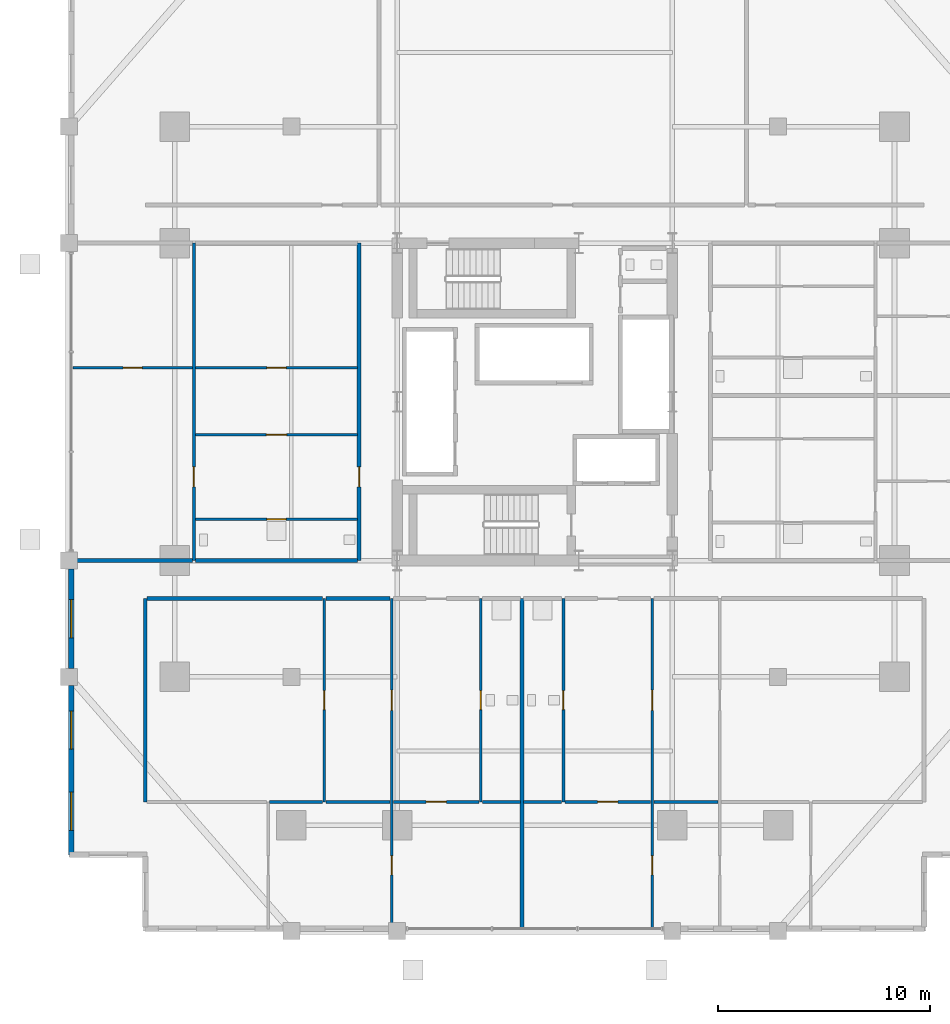
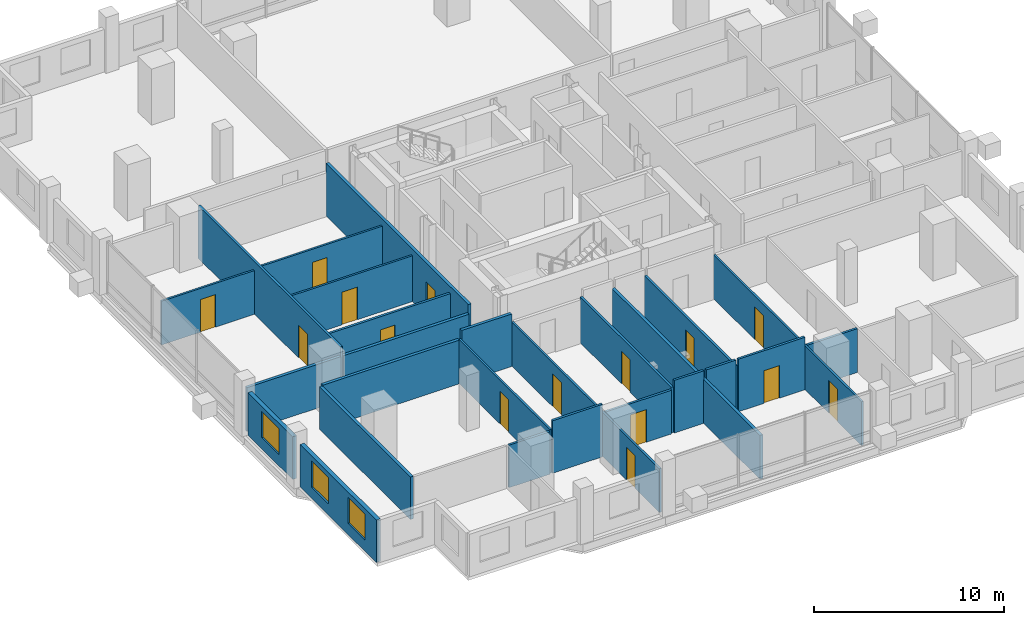
# One storey, part 17 of 23: 26 walls, 15 doors, 3 windows, 18 openings.
"""IFC4 building model written with IfcOpenShell, lengths in metres."""

from ifc_helpers import new_model, si_unit, direction, frame, frame_2d, origin, place, context, subcontext, project, spatial, rectangle, extrude, material, layer, layer_set, type_object, element, fill, save


model = new_model("IFC4")

# Units and contexts
model_context = context("Model", 3, precision=1e-05, world=origin(), true_north=direction((0.0, 1.0)))
body_context = subcontext(model_context, "Body", "Model", "MODEL_VIEW")
ifc_project = project(units=[si_unit("LENGTHUNIT", "METRE"), si_unit("AREAUNIT", "SQUARE_METRE"), si_unit("VOLUMEUNIT", "CUBIC_METRE"), si_unit("PLANEANGLEUNIT", "RADIAN"), si_unit("MASSUNIT", "GRAM", prefix="KILO")], contexts=[model_context])

# Site, building, storey
site_placement = place(None, origin())
site = spatial("IfcSite", under=ifc_project, at=site_placement, CompositionType="ELEMENT")
building_placement = place(site_placement, origin())
building = spatial("IfcBuilding", under=site, at=building_placement, Name="Barlavira Tower and Art Museum", CompositionType="ELEMENT")
storey_placement = place(building_placement, frame((0.0, 0.0, 75.60009765625)))
storey = spatial("IfcBuildingStorey", under=building, at=storey_placement, Name="L18", CompositionType="ELEMENT", Elevation=75.60009765625)

# Wall, opening, door
ifc_material_1 = material(Name="Gypsum acoustic stud partition", Category="gypsum")
ifc_layer_1 = layer(ifc_material_1, 0.1201171875, Name="Gypsum acoustic stud partition")
ifc_layer_set_1 = layer_set([ifc_layer_1], Name="Gypsum acoustic stud partition")
wall_type_1 = type_object("IfcWallType", Name="Apartment Internal Acoustic Partition 120", PredefinedType="PARTITIONING", material=ifc_layer_set_1)
wall_1_placement = place(storey_placement, frame((-9.949951171875, -18.89990234375, 0.0), z_axis=(0.0, 0.0, 1.0), x_axis=(0.0, 1.0, 0.0)))
wall_1 = element("IfcWall", 1, at=wall_1_placement, inside=storey, type_object=wall_type_1, Name="L18 Partition Wall 4", PredefinedType="PARTITIONING", context=body_context, shape_type="SweptSolid", body=[
    extrude(rectangle(XDim=9.599853515625, YDim=0.1201171875, at=frame_2d((4.7998046875, 0.0))), origin(), (0.0, 0.0, 1.0), 2.81591796875),
])
opening_1_placement = place(wall_1_placement, frame((4.35009765625, 0.0, 0.0)))
opening_1 = element("IfcOpeningElement", 2, at=opening_1_placement, cuts=wall_1, Name="Opening D-01", PredefinedType="OPENING", context=body_context, shape_type="SweptSolid", body=[
    extrude(rectangle(XDim=0.89990234375, YDim=2.10009765625, at=frame_2d((0.449951171875, 1.050048828125))), frame((0.0, 0.070068359375, 0.0), z_axis=(0.0, -1.0, 0.0), x_axis=(1.0, 0.0, 0.0)), (0.0, 0.0, 1.0), 0.14013671875),
])
ifc_material_2 = material(Name="Engineered coastal hardwood", Category="wood")
door_type_1 = type_object("IfcDoorType", Name="Internal Bedroom Timber Flush Door 900x2100", OperationType="NOTDEFINED", PredefinedType="DOOR", material=ifc_material_2)
door_1_placement = place(opening_1_placement, origin())
door_1 = element("IfcDoor", 3, at=door_1_placement, inside=storey, type_object=door_type_1, Name="Apartment S1 Walk-In Dressing Room Door", OperationType="SINGLE_SWING_LEFT", OverallHeight=2.10009765625, OverallWidth=0.89990234375, PredefinedType="DOOR", context=body_context, shape_type="SweptSolid", body=[
    extrude(rectangle(XDim=0.89990234375, YDim=2.10009765625, at=frame_2d((0.449951171875, 1.050048828125))), frame((0.0, 0.02490234375, 0.0), z_axis=(0.0, -1.0, 0.0), x_axis=(1.0, 0.0, 0.0)), (0.0, 0.0, 1.0), 0.050048828125),
])
fill(opening_1, door_1)

# Wall, openings, doors
wall_2_placement = place(storey_placement, frame((-6.75, -24.89990234375, 0.0), z_axis=(0.0, 0.0, 1.0), x_axis=(0.0, 1.0, 0.0)))
wall_2 = element("IfcWall", 4, at=wall_2_placement, inside=storey, type_object=wall_type_1, Name="L18 Partition Wall 7", PredefinedType="PARTITIONING", context=body_context, shape_type="SweptSolid", body=[
    extrude(rectangle(XDim=15.599853515625, YDim=0.1201171875, at=frame_2d((7.7998046875, 0.0))), origin(), (0.0, 0.0, 1.0), 2.81591796875),
])
opening_2_placement = place(wall_2_placement, frame((10.324951171875, 0.0, 0.0)))
opening_2 = element("IfcOpeningElement", 5, at=opening_2_placement, cuts=wall_2, Name="Opening D-02", PredefinedType="OPENING", context=body_context, shape_type="SweptSolid", body=[
    extrude(rectangle(XDim=0.949951171875, YDim=2.10009765625, at=frame_2d((0.47509765625, 1.050048828125))), frame((0.0, 0.070068359375, 0.0), z_axis=(0.0, -1.0, 0.0), x_axis=(1.0, 0.0, 0.0)), (0.0, 0.0, 1.0), 0.14013671875),
])
opening_3_placement = place(wall_2_placement, frame((2.550048828125, 0.0, 0.0)))
opening_3 = element("IfcOpeningElement", 6, at=opening_3_placement, cuts=wall_2, Name="Opening D-01", PredefinedType="OPENING", context=body_context, shape_type="SweptSolid", body=[
    extrude(rectangle(XDim=0.89990234375, YDim=2.10009765625, at=frame_2d((0.449951171875, 1.050048828125))), frame((0.0, 0.070068359375, 0.0), z_axis=(0.0, -1.0, 0.0), x_axis=(1.0, 0.0, 0.0)), (0.0, 0.0, 1.0), 0.14013671875),
])
door_2_placement = place(opening_3_placement, origin())
door_2 = element("IfcDoor", 7, at=door_2_placement, inside=storey, type_object=door_type_1, Name="Apartment S1 Bedroom 1 Door", OperationType="SINGLE_SWING_LEFT", OverallHeight=2.10009765625, OverallWidth=0.89990234375, PredefinedType="DOOR", context=body_context, shape_type="SweptSolid", body=[
    extrude(rectangle(XDim=0.89990234375, YDim=2.10009765625, at=frame_2d((0.449951171875, 1.050048828125))), frame((0.0, 0.02490234375, 0.0), z_axis=(0.0, -1.0, 0.0), x_axis=(1.0, 0.0, 0.0)), (0.0, 0.0, 1.0), 0.050048828125),
])
fill(opening_3, door_2)
door_type_2 = type_object("IfcDoorType", Name="Living and Salon Glazed-Leaf Door 950x2100", OperationType="NOTDEFINED", PredefinedType="DOOR", material=ifc_material_2)
door_3_placement = place(opening_2_placement, origin())
door_3 = element("IfcDoor", 8, at=door_3_placement, inside=storey, type_object=door_type_2, Name="Apartment S1 Kitchen Door", OperationType="SINGLE_SWING_RIGHT", OverallHeight=2.10009765625, OverallWidth=0.949951171875, PredefinedType="DOOR", context=body_context, shape_type="SweptSolid", body=[
    extrude(rectangle(XDim=0.949951171875, YDim=2.10009765625, at=frame_2d((0.47509765625, 1.050048828125))), frame((0.0, 0.02490234375, 0.0), z_axis=(0.0, -1.0, 0.0), x_axis=(1.0, 0.0, 0.0)), (0.0, 0.0, 1.0), 0.050048828125),
])
fill(opening_2, door_3)

wall_3_placement = place(storey_placement, frame((5.550048828125, -24.89990234375, 0.0), z_axis=(0.0, 0.0, 1.0), x_axis=(0.0, 1.0, 0.0)))
wall_3 = element("IfcWall", 9, at=wall_3_placement, inside=storey, type_object=wall_type_1, Name="L18 Partition Wall 12", PredefinedType="PARTITIONING", context=body_context, shape_type="SweptSolid", body=[
    extrude(rectangle(XDim=15.599853515625, YDim=0.1201171875, at=frame_2d((7.7998046875, 0.0))), origin(), (0.0, 0.0, 1.0), 2.81591796875),
])
opening_4_placement = place(wall_3_placement, frame((10.324951171875, 0.0, 0.0)))
opening_4 = element("IfcOpeningElement", 10, at=opening_4_placement, cuts=wall_3, Name="Opening D-02", PredefinedType="OPENING", context=body_context, shape_type="SweptSolid", body=[
    extrude(rectangle(XDim=0.949951171875, YDim=2.10009765625, at=frame_2d((0.47509765625, 1.050048828125))), frame((0.0, 0.070068359375, 0.0), z_axis=(0.0, -1.0, 0.0), x_axis=(1.0, 0.0, 0.0)), (0.0, 0.0, 1.0), 0.14013671875),
])
opening_5_placement = place(wall_3_placement, frame((2.550048828125, 0.0, 0.0)))
opening_5 = element("IfcOpeningElement", 11, at=opening_5_placement, cuts=wall_3, Name="Opening D-01", PredefinedType="OPENING", context=body_context, shape_type="SweptSolid", body=[
    extrude(rectangle(XDim=0.89990234375, YDim=2.10009765625, at=frame_2d((0.449951171875, 1.050048828125))), frame((0.0, 0.070068359375, 0.0), z_axis=(0.0, -1.0, 0.0), x_axis=(1.0, 0.0, 0.0)), (0.0, 0.0, 1.0), 0.14013671875),
])
door_4_placement = place(opening_5_placement, origin())
door_4 = element("IfcDoor", 12, at=door_4_placement, inside=storey, type_object=door_type_1, Name="Apartment S2 Bedroom 1 Door", OperationType="SINGLE_SWING_RIGHT", OverallHeight=2.10009765625, OverallWidth=0.89990234375, PredefinedType="DOOR", context=body_context, shape_type="SweptSolid", body=[
    extrude(rectangle(XDim=0.89990234375, YDim=2.10009765625, at=frame_2d((0.449951171875, 1.050048828125))), frame((0.0, 0.02490234375, 0.0), z_axis=(0.0, -1.0, 0.0), x_axis=(1.0, 0.0, 0.0)), (0.0, 0.0, 1.0), 0.050048828125),
])
fill(opening_5, door_4)
door_5_placement = place(opening_4_placement, origin())
door_5 = element("IfcDoor", 13, at=door_5_placement, inside=storey, type_object=door_type_2, Name="Apartment S2 Kitchen Door", OperationType="SINGLE_SWING_LEFT", OverallHeight=2.10009765625, OverallWidth=0.949951171875, PredefinedType="DOOR", context=body_context, shape_type="SweptSolid", body=[
    extrude(rectangle(XDim=0.949951171875, YDim=2.10009765625, at=frame_2d((0.47509765625, 1.050048828125))), frame((0.0, 0.02490234375, 0.0), z_axis=(0.0, -1.0, 0.0), x_axis=(1.0, 0.0, 0.0)), (0.0, 0.0, 1.0), 0.050048828125),
])
fill(opening_4, door_5)

# Wall, opening, door
wall_4_placement = place(storey_placement, frame((-16.02001953125, -1.550048828125, 0.0), z_axis=(0.0, 0.0, 1.0), x_axis=(1.0, 0.0, 0.0)))
wall_4 = element("IfcWall", 14, at=wall_4_placement, inside=storey, type_object=wall_type_1, Name="L18 Partition Wall 45", PredefinedType="PARTITIONING", context=body_context, shape_type="SweptSolid", body=[
    extrude(rectangle(XDim=7.64013671875, YDim=0.1201171875, at=frame_2d((3.820068359375, 0.0))), origin(), (0.0, 0.0, 1.0), 2.947998046875),
])
opening_6_placement = place(wall_4_placement, frame((3.344970703125, 0.0, 0.0)))
opening_6 = element("IfcOpeningElement", 15, at=opening_6_placement, cuts=wall_4, Name="Opening D-02", PredefinedType="OPENING", context=body_context, shape_type="SweptSolid", body=[
    extrude(rectangle(XDim=0.949951171875, YDim=2.10009765625, at=frame_2d((0.47509765625, 1.050048828125))), frame((0.0, 0.070068359375, 0.0), z_axis=(0.0, -1.0, 0.0), x_axis=(1.0, 0.0, 0.0)), (0.0, 0.0, 1.0), 0.14013671875),
])
door_6_placement = place(opening_6_placement, origin())
door_6 = element("IfcDoor", 16, at=door_6_placement, inside=storey, type_object=door_type_2, Name="Apartment W1 Kitchen Door", OperationType="SINGLE_SWING_RIGHT", OverallHeight=2.10009765625, OverallWidth=0.949951171875, PredefinedType="DOOR", context=body_context, shape_type="SweptSolid", body=[
    extrude(rectangle(XDim=0.949951171875, YDim=2.10009765625, at=frame_2d((0.47509765625, 1.050048828125))), frame((0.0, 0.02490234375, 0.0), z_axis=(0.0, -1.0, 0.0), x_axis=(1.0, 0.0, 0.0)), (0.0, 0.0, 1.0), 0.050048828125),
])
fill(opening_6, door_6)

wall_5_placement = place(storey_placement, frame((-21.820068359375, 1.60009765625, 0.0), z_axis=(0.0, 0.0, 1.0), x_axis=(1.0, 0.0, 0.0)))
wall_5 = element("IfcWall", 17, at=wall_5_placement, inside=storey, type_object=wall_type_1, Name="L18 Partition Wall 48", PredefinedType="PARTITIONING", context=body_context, shape_type="SweptSolid", body=[
    extrude(rectangle(XDim=5.64013671875, YDim=0.1201171875, at=frame_2d((2.820068359375, 0.0))), origin(), (0.0, 0.0, 1.0), 2.81591796875),
])
opening_7_placement = place(wall_5_placement, frame((2.3701171875, 0.0, 0.0)))
opening_7 = element("IfcOpeningElement", 18, at=opening_7_placement, cuts=wall_5, Name="Opening D-01", PredefinedType="OPENING", context=body_context, shape_type="SweptSolid", body=[
    extrude(rectangle(XDim=0.89990234375, YDim=2.10009765625, at=frame_2d((0.449951171875, 1.050048828125))), frame((0.0, 0.070068359375, 0.0), z_axis=(0.0, -1.0, 0.0), x_axis=(1.0, 0.0, 0.0)), (0.0, 0.0, 1.0), 0.14013671875),
])
door_7_placement = place(opening_7_placement, origin())
door_7 = element("IfcDoor", 19, at=door_7_placement, inside=storey, type_object=door_type_1, Name="Apartment W1 Bedroom 1 Door", OperationType="SINGLE_SWING_LEFT", OverallHeight=2.10009765625, OverallWidth=0.89990234375, PredefinedType="DOOR", context=body_context, shape_type="SweptSolid", body=[
    extrude(rectangle(XDim=0.89990234375, YDim=2.10009765625, at=frame_2d((0.449951171875, 1.050048828125))), frame((0.0, 0.02490234375, 0.0), z_axis=(0.0, -1.0, 0.0), x_axis=(1.0, 0.0, 0.0)), (0.0, 0.0, 1.0), 0.050048828125),
])
fill(opening_7, door_7)

wall_6_placement = place(storey_placement, frame((-16.02001953125, 1.60009765625, 0.0), z_axis=(0.0, 0.0, 1.0), x_axis=(1.0, 0.0, 0.0)))
wall_6 = element("IfcWall", 20, at=wall_6_placement, inside=storey, type_object=wall_type_1, Name="L18 Partition Wall 49", PredefinedType="PARTITIONING", context=body_context, shape_type="SweptSolid", body=[
    extrude(rectangle(XDim=7.64013671875, YDim=0.1201171875, at=frame_2d((3.820068359375, 0.0))), origin(), (0.0, 0.0, 1.0), 2.947998046875),
])
opening_8_placement = place(wall_6_placement, frame((3.3701171875, 0.0, 0.0)))
opening_8 = element("IfcOpeningElement", 21, at=opening_8_placement, cuts=wall_6, Name="Opening D-01", PredefinedType="OPENING", context=body_context, shape_type="SweptSolid", body=[
    extrude(rectangle(XDim=0.89990234375, YDim=2.10009765625, at=frame_2d((0.449951171875, 1.050048828125))), frame((0.0, 0.070068359375, 0.0), z_axis=(0.0, -1.0, 0.0), x_axis=(1.0, 0.0, 0.0)), (0.0, 0.0, 1.0), 0.14013671875),
])
door_8_placement = place(opening_8_placement, origin())
door_8 = element("IfcDoor", 22, at=door_8_placement, inside=storey, type_object=door_type_1, Name="Apartment W1 Walk-In Dressing Room Door", OperationType="SINGLE_SWING_LEFT", OverallHeight=2.10009765625, OverallWidth=0.89990234375, PredefinedType="DOOR", context=body_context, shape_type="SweptSolid", body=[
    extrude(rectangle(XDim=0.89990234375, YDim=2.10009765625, at=frame_2d((0.449951171875, 1.050048828125))), frame((0.0, 0.02490234375, 0.0), z_axis=(0.0, -1.0, 0.0), x_axis=(1.0, 0.0, 0.0)), (0.0, 0.0, 1.0), 0.050048828125),
])
fill(opening_8, door_8)

# Wall
ifc_layer_2 = layer(ifc_material_1, 0.179931640625, Name="Gypsum acoustic stud partition")
ifc_layer_set_2 = layer_set([ifc_layer_2], Name="Gypsum acoustic stud partition")
wall_type_2 = type_object("IfcWallType", Name="Inter-Tenancy Party Partition Wall 180", PredefinedType="PARTITIONING", material=ifc_layer_set_2)
wall_7_placement = place(storey_placement, frame((-18.39990234375, -18.89990234375, 0.0), z_axis=(0.0, 0.0, 1.0), x_axis=(0.0, 1.0, 0.0)))
element("IfcWall", 23, at=wall_7_placement, inside=storey, type_object=wall_type_2, Name="L18 Partition Wall 1", PredefinedType="PARTITIONING", context=body_context, shape_type="SweptSolid", body=[
    extrude(rectangle(XDim=9.599853515625, YDim=0.179931640625, at=frame_2d((4.7998046875, 0.0))), origin(), (0.0, 0.0, 1.0), 2.73583984375),
])

# Wall, opening, door
wall_8_placement = place(storey_placement, frame((-8.300048828125, -7.5, 0.0), z_axis=(0.0, 0.0, 1.0), x_axis=(0.0, 1.0, 0.0)))
wall_8 = element("IfcWall", 24, at=wall_8_placement, inside=storey, type_object=wall_type_2, Name="L18 Partition Wall 5", PredefinedType="PARTITIONING", context=body_context, shape_type="SweptSolid", body=[
    extrude(rectangle(XDim=15.0, YDim=0.179931640625, at=frame_2d((7.5, 0.0))), origin(), (0.0, 0.0, 1.0), 3.3798828125),
])
opening_9_placement = place(wall_8_placement, frame((3.47509765625, 0.0, 0.0)))
opening_9 = element("IfcOpeningElement", 25, at=opening_9_placement, cuts=wall_8, Name="Opening FD-60", PredefinedType="OPENING", context=body_context, shape_type="SweptSolid", body=[
    extrude(rectangle(XDim=0.949951171875, YDim=2.14990234375, at=frame_2d((0.47509765625, 1.074951171875))), frame((0.0, 0.10009765625, 0.0), z_axis=(0.0, -1.0, 0.0), x_axis=(1.0, 0.0, 0.0)), (0.0, 0.0, 1.0), 0.199951171875),
])
ifc_material_3 = material(Name="Brushed stainless steel", Category="steel")
door_type_3 = type_object("IfcDoorType", Name="Apartment Entrance and Riser Fire Door 950x2150 FD60S", OperationType="NOTDEFINED", PredefinedType="DOOR", material=ifc_material_3)
door_9_placement = place(opening_9_placement, origin())
door_9 = element("IfcDoor", 26, at=door_9_placement, inside=storey, type_object=door_type_3, Name="Apartment Entrance Hall W1 Door", OperationType="SINGLE_SWING_LEFT", OverallHeight=2.14990234375, OverallWidth=0.949951171875, PredefinedType="DOOR", context=body_context, shape_type="SweptSolid", body=[
    extrude(rectangle(XDim=0.949951171875, YDim=2.14990234375, at=frame_2d((0.47509765625, 1.074951171875))), frame((0.0, 0.02490234375, 0.0), z_axis=(0.0, -1.0, 0.0), x_axis=(1.0, 0.0, 0.0)), (0.0, 0.0, 1.0), 0.050048828125),
])
fill(opening_9, door_9)

# Walls
wall_9_placement = place(storey_placement, frame((-0.60009765625, -24.89990234375, 0.0), z_axis=(0.0, 0.0, 1.0), x_axis=(0.0, 1.0, 0.0)))
element("IfcWall", 27, at=wall_9_placement, inside=storey, type_object=wall_type_2, Name="L18 Partition Wall 9", PredefinedType="PARTITIONING", context=body_context, shape_type="SweptSolid", body=[
    extrude(rectangle(XDim=15.599853515625, YDim=0.179931640625, at=frame_2d((7.7998046875, 0.0))), origin(), (0.0, 0.0, 1.0), 2.81591796875),
])
wall_10_placement = place(storey_placement, frame((-18.320068359375, -9.300048828125, 0.0), z_axis=(0.0, 0.0, 1.0), x_axis=(1.0, 0.0, 0.0)))
element("IfcWall", 28, at=wall_10_placement, inside=storey, type_object=wall_type_2, Name="L18 Partition Wall 29", PredefinedType="PARTITIONING", context=body_context, shape_type="SweptSolid", body=[
    extrude(rectangle(XDim=8.2900390625, YDim=0.179931640625, at=frame_2d((4.14501953125, 0.0))), origin(), (0.0, 0.0, 1.0), 2.81591796875),
])
wall_11_placement = place(storey_placement, frame((-9.8701171875, -9.300048828125, 0.0), z_axis=(0.0, 0.0, 1.0), x_axis=(1.0, 0.0, 0.0)))
element("IfcWall", 29, at=wall_11_placement, inside=storey, type_object=wall_type_2, Name="L18 Partition Wall 30", PredefinedType="PARTITIONING", context=body_context, shape_type="SweptSolid", body=[
    extrude(rectangle(XDim=3.0400390625, YDim=0.179931640625, at=frame_2d((1.52001953125, 0.0))), origin(), (0.0, 0.0, 1.0), 3.3798828125),
])
wall_12_placement = place(storey_placement, frame((-21.89990234375, -7.5, 0.0), z_axis=(0.0, 0.0, 1.0), x_axis=(1.0, 0.0, 0.0)))
element("IfcWall", 30, at=wall_12_placement, inside=storey, type_object=wall_type_2, Name="L18 Partition Wall 37", PredefinedType="PARTITIONING", context=body_context, shape_type="SweptSolid", body=[
    extrude(rectangle(XDim=5.719970703125, YDim=0.179931640625, at=frame_2d((2.85986328125, 0.0))), origin(), (0.0, 0.0, 1.0), 2.81591796875),
])
wall_13_placement = place(storey_placement, frame((-16.02001953125, -7.5, 0.0), z_axis=(0.0, 0.0, 1.0), x_axis=(1.0, 0.0, 0.0)))
element("IfcWall", 31, at=wall_13_placement, inside=storey, type_object=wall_type_2, Name="L18 Partition Wall 38", PredefinedType="PARTITIONING", context=body_context, shape_type="SweptSolid", body=[
    extrude(rectangle(XDim=7.64013671875, YDim=0.179931640625, at=frame_2d((3.820068359375, 0.0))), origin(), (0.0, 0.0, 1.0), 2.81591796875),
])

# Wall, opening, door
ifc_layer_3 = layer(ifc_material_1, 0.139892578125, Name="Gypsum acoustic stud partition")
ifc_layer_set_3 = layer_set([ifc_layer_3], Name="Gypsum acoustic stud partition")
wall_type_3 = type_object("IfcWallType", Name="Moisture-Resistant Bathroom Partition 140", PredefinedType="PARTITIONING", material=ifc_layer_set_3)
wall_14_placement = place(storey_placement, frame((-16.10009765625, -7.5, 0.0), z_axis=(0.0, 0.0, 1.0), x_axis=(0.0, 1.0, 0.0)))
wall_14 = element("IfcWall", 32, at=wall_14_placement, inside=storey, type_object=wall_type_3, Name="L18 Partition Wall 2", PredefinedType="PARTITIONING", context=body_context, shape_type="SweptSolid", body=[
    extrude(rectangle(XDim=15.0, YDim=0.139892578125, at=frame_2d((7.5, 0.0))), origin(), (0.0, 0.0, 1.0), 3.3798828125),
])
opening_10_placement = place(wall_14_placement, frame((3.47509765625, 0.0, 0.0)))
opening_10 = element("IfcOpeningElement", 33, at=opening_10_placement, cuts=wall_14, Name="Opening D-02", PredefinedType="OPENING", context=body_context, shape_type="SweptSolid", body=[
    extrude(rectangle(XDim=0.949951171875, YDim=2.10009765625, at=frame_2d((0.47509765625, 1.050048828125))), frame((0.0, 0.080078125, 0.0), z_axis=(0.0, -1.0, 0.0), x_axis=(1.0, 0.0, 0.0)), (0.0, 0.0, 1.0), 0.159912109375),
])
door_10_placement = place(opening_10_placement, origin())
door_10 = element("IfcDoor", 34, at=door_10_placement, inside=storey, type_object=door_type_2, Name="Apartment W1 Living Lounge Door", OperationType="SINGLE_SWING_RIGHT", OverallHeight=2.10009765625, OverallWidth=0.949951171875, PredefinedType="DOOR", context=body_context, shape_type="SweptSolid", body=[
    extrude(rectangle(XDim=0.949951171875, YDim=2.10009765625, at=frame_2d((0.47509765625, 1.050048828125))), frame((0.0, 0.02490234375, 0.0), z_axis=(0.0, -1.0, 0.0), x_axis=(1.0, 0.0, 0.0)), (0.0, 0.0, 1.0), 0.050048828125),
])
fill(opening_10, door_10)

wall_15_placement = place(storey_placement, frame((-2.550048828125, -18.89990234375, 0.0), z_axis=(0.0, 0.0, 1.0), x_axis=(0.0, 1.0, 0.0)))
wall_15 = element("IfcWall", 35, at=wall_15_placement, inside=storey, type_object=wall_type_3, Name="L18 Partition Wall 8", PredefinedType="PARTITIONING", context=body_context, shape_type="SweptSolid", body=[
    extrude(rectangle(XDim=9.599853515625, YDim=0.139892578125, at=frame_2d((4.7998046875, 0.0))), origin(), (0.0, 0.0, 1.0), 2.947998046875),
])
opening_11_placement = place(wall_15_placement, frame((4.35009765625, 0.0, 0.0)))
opening_11 = element("IfcOpeningElement", 36, at=opening_11_placement, cuts=wall_15, Name="Opening D-WC", PredefinedType="OPENING", context=body_context, shape_type="SweptSolid", body=[
    extrude(rectangle(XDim=0.89990234375, YDim=2.10009765625, at=frame_2d((0.449951171875, 1.050048828125))), frame((0.0, 0.080078125, 0.0), z_axis=(0.0, -1.0, 0.0), x_axis=(1.0, 0.0, 0.0)), (0.0, 0.0, 1.0), 0.159912109375),
])
door_type_4 = type_object("IfcDoorType", Name="Accessible Bathroom Flush Door 900x2100", OperationType="NOTDEFINED", PredefinedType="DOOR", material=ifc_material_2)
door_11_placement = place(opening_11_placement, origin())
door_11 = element("IfcDoor", 37, at=door_11_placement, inside=storey, type_object=door_type_4, Name="Apartment S1 Hall Bathroom Door", OperationType="SINGLE_SWING_RIGHT", OverallHeight=2.10009765625, OverallWidth=0.89990234375, PredefinedType="DOOR", context=body_context, shape_type="SweptSolid", body=[
    extrude(rectangle(XDim=0.89990234375, YDim=2.10009765625, at=frame_2d((0.449951171875, 1.050048828125))), frame((0.0, 0.02490234375, 0.0), z_axis=(0.0, -1.0, 0.0), x_axis=(1.0, 0.0, 0.0)), (0.0, 0.0, 1.0), 0.050048828125),
])
fill(opening_11, door_11)

wall_16_placement = place(storey_placement, frame((1.35009765625, -18.89990234375, 0.0), z_axis=(0.0, 0.0, 1.0), x_axis=(0.0, 1.0, 0.0)))
wall_16 = element("IfcWall", 38, at=wall_16_placement, inside=storey, type_object=wall_type_3, Name="L18 Partition Wall 10", PredefinedType="PARTITIONING", context=body_context, shape_type="SweptSolid", body=[
    extrude(rectangle(XDim=9.599853515625, YDim=0.139892578125, at=frame_2d((4.7998046875, 0.0))), origin(), (0.0, 0.0, 1.0), 2.947998046875),
])
opening_12_placement = place(wall_16_placement, frame((4.35009765625, 0.0, 0.0)))
opening_12 = element("IfcOpeningElement", 39, at=opening_12_placement, cuts=wall_16, Name="Opening D-WC", PredefinedType="OPENING", context=body_context, shape_type="SweptSolid", body=[
    extrude(rectangle(XDim=0.89990234375, YDim=2.10009765625, at=frame_2d((0.449951171875, 1.050048828125))), frame((0.0, 0.080078125, 0.0), z_axis=(0.0, -1.0, 0.0), x_axis=(1.0, 0.0, 0.0)), (0.0, 0.0, 1.0), 0.159912109375),
])
door_12_placement = place(opening_12_placement, origin())
door_12 = element("IfcDoor", 40, at=door_12_placement, inside=storey, type_object=door_type_4, Name="Apartment S2 Hall Bathroom Door", OperationType="SINGLE_SWING_LEFT", OverallHeight=2.10009765625, OverallWidth=0.89990234375, PredefinedType="DOOR", context=body_context, shape_type="SweptSolid", body=[
    extrude(rectangle(XDim=0.89990234375, YDim=2.10009765625, at=frame_2d((0.449951171875, 1.050048828125))), frame((0.0, 0.02490234375, 0.0), z_axis=(0.0, -1.0, 0.0), x_axis=(1.0, 0.0, 0.0)), (0.0, 0.0, 1.0), 0.050048828125),
])
fill(opening_12, door_12)

# Walls
wall_17_placement = place(storey_placement, frame((-12.52001953125, -18.89990234375, 0.0), z_axis=(0.0, 0.0, 1.0), x_axis=(1.0, 0.0, 0.0)))
element("IfcWall", 41, at=wall_17_placement, inside=storey, type_object=wall_type_3, Name="L18 Partition Wall 20", PredefinedType="PARTITIONING", context=body_context, shape_type="SweptSolid", body=[
    extrude(rectangle(XDim=2.489990234375, YDim=0.139892578125, at=frame_2d((1.2451171875, 0.0))), origin(), (0.0, 0.0, 1.0), 2.73583984375),
])
wall_18_placement = place(storey_placement, frame((-9.8701171875, -18.89990234375, 0.0), z_axis=(0.0, 0.0, 1.0), x_axis=(1.0, 0.0, 0.0)))
element("IfcWall", 42, at=wall_18_placement, inside=storey, type_object=wall_type_3, Name="L18 Partition Wall 21", PredefinedType="PARTITIONING", context=body_context, shape_type="SweptSolid", body=[
    extrude(rectangle(XDim=3.0400390625, YDim=0.139892578125, at=frame_2d((1.52001953125, 0.0))), origin(), (0.0, 0.0, 1.0), 3.3798828125),
])

# Wall, opening, door
wall_19_placement = place(storey_placement, frame((-6.669921875, -18.89990234375, 0.0), z_axis=(0.0, 0.0, 1.0), x_axis=(1.0, 0.0, 0.0)))
wall_19 = element("IfcWall", 43, at=wall_19_placement, inside=storey, type_object=wall_type_3, Name="L18 Partition Wall 22", PredefinedType="PARTITIONING", context=body_context, shape_type="SweptSolid", body=[
    extrude(rectangle(XDim=4.0400390625, YDim=0.139892578125, at=frame_2d((2.02001953125, 0.0))), origin(), (0.0, 0.0, 1.0), 2.81591796875),
])
opening_13_placement = place(wall_19_placement, frame((1.544921875, 0.0, 0.0)))
opening_13 = element("IfcOpeningElement", 44, at=opening_13_placement, cuts=wall_19, Name="Opening D-02", PredefinedType="OPENING", context=body_context, shape_type="SweptSolid", body=[
    extrude(rectangle(XDim=0.949951171875, YDim=2.10009765625, at=frame_2d((0.47509765625, 1.050048828125))), frame((0.0, 0.080078125, 0.0), z_axis=(0.0, -1.0, 0.0), x_axis=(1.0, 0.0, 0.0)), (0.0, 0.0, 1.0), 0.159912109375),
])
door_13_placement = place(opening_13_placement, origin())
door_13 = element("IfcDoor", 45, at=door_13_placement, inside=storey, type_object=door_type_2, Name="Apartment S1 Living Lounge Door", OperationType="SINGLE_SWING_RIGHT", OverallHeight=2.10009765625, OverallWidth=0.949951171875, PredefinedType="DOOR", context=body_context, shape_type="SweptSolid", body=[
    extrude(rectangle(XDim=0.949951171875, YDim=2.10009765625, at=frame_2d((0.47509765625, 1.050048828125))), frame((0.0, 0.02490234375, 0.0), z_axis=(0.0, -1.0, 0.0), x_axis=(1.0, 0.0, 0.0)), (0.0, 0.0, 1.0), 0.050048828125),
])
fill(opening_13, door_13)

# Walls
for number, where, z_axis, x_axis, name in (
    (46, (-2.469970703125, -18.89990234375, 0.0), (0.0, 0.0, 1.0), (1.0, 0.0, 0.0), "L18 Partition Wall 23"),
    (47, (-0.52001953125, -18.89990234375, 0.0), (0.0, 0.0, 1.0), (1.0, 0.0, 0.0), "L18 Partition Wall 24"),
):
    element("IfcWall", number, at=place(storey_placement, frame(where, z_axis=z_axis, x_axis=x_axis)), inside=storey, type_object=wall_type_3, Name=name, PredefinedType="PARTITIONING", context=body_context, shape_type="SweptSolid", body=[
        extrude(rectangle(XDim=1.7900390625, YDim=0.139892578125, at=frame_2d((0.89501953125, 0.0))), origin(), (0.0, 0.0, 1.0), 3.3798828125),
    ])

# Wall, opening, door
wall_20_placement = place(storey_placement, frame((1.429931640625, -18.89990234375, 0.0), z_axis=(0.0, 0.0, 1.0), x_axis=(1.0, 0.0, 0.0)))
wall_20 = element("IfcWall", 48, at=wall_20_placement, inside=storey, type_object=wall_type_3, Name="L18 Partition Wall 25", PredefinedType="PARTITIONING", context=body_context, shape_type="SweptSolid", body=[
    extrude(rectangle(XDim=4.0400390625, YDim=0.139892578125, at=frame_2d((2.02001953125, 0.0))), origin(), (0.0, 0.0, 1.0), 3.3798828125),
])
opening_14_placement = place(wall_20_placement, frame((1.544921875, 0.0, 0.0)))
opening_14 = element("IfcOpeningElement", 49, at=opening_14_placement, cuts=wall_20, Name="Opening D-02", PredefinedType="OPENING", context=body_context, shape_type="SweptSolid", body=[
    extrude(rectangle(XDim=0.949951171875, YDim=2.10009765625, at=frame_2d((0.47509765625, 1.050048828125))), frame((0.0, 0.080078125, 0.0), z_axis=(0.0, -1.0, 0.0), x_axis=(1.0, 0.0, 0.0)), (0.0, 0.0, 1.0), 0.159912109375),
])
door_14_placement = place(opening_14_placement, origin())
door_14 = element("IfcDoor", 50, at=door_14_placement, inside=storey, type_object=door_type_2, Name="Apartment S2 Living Lounge Door", OperationType="SINGLE_SWING_LEFT", OverallHeight=2.10009765625, OverallWidth=0.949951171875, PredefinedType="DOOR", context=body_context, shape_type="SweptSolid", body=[
    extrude(rectangle(XDim=0.949951171875, YDim=2.10009765625, at=frame_2d((0.47509765625, 1.050048828125))), frame((0.0, 0.02490234375, 0.0), z_axis=(0.0, -1.0, 0.0), x_axis=(1.0, 0.0, 0.0)), (0.0, 0.0, 1.0), 0.050048828125),
])
fill(opening_14, door_14)

# Wall
wall_21_placement = place(storey_placement, frame((5.6298828125, -18.89990234375, 0.0), z_axis=(0.0, 0.0, 1.0), x_axis=(1.0, 0.0, 0.0)))
element("IfcWall", 51, at=wall_21_placement, inside=storey, type_object=wall_type_3, Name="L18 Partition Wall 26", PredefinedType="PARTITIONING", context=body_context, shape_type="SweptSolid", body=[
    extrude(rectangle(XDim=3.0400390625, YDim=0.139892578125, at=frame_2d((1.52001953125, 0.0))), origin(), (0.0, 0.0, 1.0), 2.81591796875),
])

# Wall, opening, door
wall_22_placement = place(storey_placement, frame((-16.02001953125, -5.550048828125, 0.0), z_axis=(0.0, 0.0, 1.0), x_axis=(1.0, 0.0, 0.0)))
wall_22 = element("IfcWall", 52, at=wall_22_placement, inside=storey, type_object=wall_type_3, Name="L18 Partition Wall 42", PredefinedType="PARTITIONING", context=body_context, shape_type="SweptSolid", body=[
    extrude(rectangle(XDim=7.64013671875, YDim=0.139892578125, at=frame_2d((3.820068359375, 0.0))), origin(), (0.0, 0.0, 1.0), 2.947998046875),
])
opening_15_placement = place(wall_22_placement, frame((3.3701171875, 0.0, 0.0)))
opening_15 = element("IfcOpeningElement", 53, at=opening_15_placement, cuts=wall_22, Name="Opening D-WC", PredefinedType="OPENING", context=body_context, shape_type="SweptSolid", body=[
    extrude(rectangle(XDim=0.89990234375, YDim=2.10009765625, at=frame_2d((0.449951171875, 1.050048828125))), frame((0.0, 0.080078125, 0.0), z_axis=(0.0, -1.0, 0.0), x_axis=(1.0, 0.0, 0.0)), (0.0, 0.0, 1.0), 0.159912109375),
])
door_15_placement = place(opening_15_placement, origin())
door_15 = element("IfcDoor", 54, at=door_15_placement, inside=storey, type_object=door_type_4, Name="Apartment W1 Hall Bathroom Door", OperationType="SINGLE_SWING_RIGHT", OverallHeight=2.10009765625, OverallWidth=0.89990234375, PredefinedType="DOOR", context=body_context, shape_type="SweptSolid", body=[
    extrude(rectangle(XDim=0.89990234375, YDim=2.10009765625, at=frame_2d((0.449951171875, 1.050048828125))), frame((0.0, 0.02490234375, 0.0), z_axis=(0.0, -1.0, 0.0), x_axis=(1.0, 0.0, 0.0)), (0.0, 0.0, 1.0), 0.050048828125),
])
fill(opening_15, door_15)

# Wall, opening, window
ifc_material_4 = material(Name="Precast concrete C40", Category="concrete")
ifc_layer_4 = layer(ifc_material_4, 0.25, Name="Precast concrete C40")
ifc_layer_set_4 = layer_set([ifc_layer_4], Name="Precast concrete C40")
wall_type_4 = type_object("IfcWallType", Name="Notched Corner Spandrel Wall 250 Precast Concrete C40", PredefinedType="SOLIDWALL", material=ifc_layer_set_4)
wall_23_placement = place(storey_placement, frame((-21.89990234375, -7.89501953125, 0.0), z_axis=(0.0, 0.0, 1.0), x_axis=(0.0, -1.0, 0.0)))
wall_23 = element("IfcWall", 55, at=wall_23_placement, inside=storey, type_object=wall_type_4, Name="L18 Coastal Facade Pier Wall CW1-L18-W-4", PredefinedType="SOLIDWALL", context=body_context, shape_type="SweptSolid", body=[
    extrude(rectangle(XDim=4.7099609375, YDim=0.25, at=frame_2d((2.35498046875, 0.0))), origin(), (0.0, 0.0, 1.0), 2.73583984375),
])
opening_16_placement = place(wall_23_placement, frame((1.455078125, 0.0, 0.719970703125)))
opening_16 = element("IfcOpeningElement", 56, at=opening_16_placement, cuts=wall_23, Name="Opening WN-01", PredefinedType="OPENING", context=body_context, shape_type="SweptSolid", body=[
    extrude(rectangle(XDim=1.800048828125, YDim=1.679931640625, at=frame_2d((0.89990234375, 0.83984375))), frame((0.0, 0.135009765625, 0.0), z_axis=(0.0, -1.0, 0.0), x_axis=(1.0, 0.0, 0.0)), (0.0, 0.0, 1.0), 0.27001953125),
])
ifc_material_5 = material(Name="Low-iron coastal laminated glass", Category="glass")
window_type = type_object("IfcWindowType", Name="Recessed Notch Corner Punch Window 1800x1680", PartitioningType="SINGLE_PANEL", PredefinedType="WINDOW", material=ifc_material_5)
window_1_placement = place(opening_16_placement, origin())
window_1 = element("IfcWindow", 57, at=window_1_placement, inside=storey, type_object=window_type, Name="L18 Punched Facade Window EWP-CW1-L18-W-4-1", OverallHeight=1.679931640625, OverallWidth=1.800048828125, PartitioningType="SINGLE_PANEL", PredefinedType="WINDOW", context=body_context, shape_type="SweptSolid", body=[
    extrude(rectangle(XDim=1.800048828125, YDim=1.679931640625, at=frame_2d((0.89990234375, 0.83984375))), frame((0.0, 0.030029296875, 0.0), z_axis=(0.0, -1.0, 0.0), x_axis=(1.0, 0.0, 0.0)), (0.0, 0.0, 1.0), 0.06005859375),
])
fill(opening_16, window_1)

# Wall, openings, windows
wall_24_placement = place(storey_placement, frame((-21.89990234375, -13.39501953125, 0.0), z_axis=(0.0, 0.0, 1.0), x_axis=(0.0, -1.0, 0.0)))
wall_24 = element("IfcWall", 58, at=wall_24_placement, inside=storey, type_object=wall_type_4, Name="L18 Coastal Facade Pier Wall CW1-L18-W-5", PredefinedType="SOLIDWALL", context=body_context, shape_type="SweptSolid", body=[
    extrude(rectangle(XDim=8.030029296875, YDim=0.25, at=frame_2d((4.01513671875, 0.0))), origin(), (0.0, 0.0, 1.0), 2.73583984375),
])
opening_17_placement = place(wall_24_placement, frame((1.220947265625, 0.0, 0.719970703125)))
opening_17 = element("IfcOpeningElement", 59, at=opening_17_placement, cuts=wall_24, Name="Opening WN-01", PredefinedType="OPENING", context=body_context, shape_type="SweptSolid", body=[
    extrude(rectangle(XDim=1.800048828125, YDim=1.679931640625, at=frame_2d((0.89990234375, 0.83984375))), frame((0.0, 0.135009765625, 0.0), z_axis=(0.0, -1.0, 0.0), x_axis=(1.0, 0.0, 0.0)), (0.0, 0.0, 1.0), 0.27001953125),
])
opening_18_placement = place(wall_24_placement, frame((5.053955078125, 0.0, 0.719970703125)))
opening_18 = element("IfcOpeningElement", 60, at=opening_18_placement, cuts=wall_24, Name="Opening WN-01", PredefinedType="OPENING", context=body_context, shape_type="SweptSolid", body=[
    extrude(rectangle(XDim=1.800048828125, YDim=1.679931640625, at=frame_2d((0.89990234375, 0.83984375))), frame((0.0, 0.135009765625, 0.0), z_axis=(0.0, -1.0, 0.0), x_axis=(1.0, 0.0, 0.0)), (0.0, 0.0, 1.0), 0.27001953125),
])
window_2_placement = place(opening_17_placement, origin())
window_2 = element("IfcWindow", 61, at=window_2_placement, inside=storey, type_object=window_type, Name="L18 Punched Facade Window EWP-CW1-L18-W-5-1", OverallHeight=1.679931640625, OverallWidth=1.800048828125, PartitioningType="SINGLE_PANEL", PredefinedType="WINDOW", context=body_context, shape_type="SweptSolid", body=[
    extrude(rectangle(XDim=1.800048828125, YDim=1.679931640625, at=frame_2d((0.89990234375, 0.83984375))), frame((0.0, 0.030029296875, 0.0), z_axis=(0.0, -1.0, 0.0), x_axis=(1.0, 0.0, 0.0)), (0.0, 0.0, 1.0), 0.06005859375),
])
fill(opening_17, window_2)
window_3_placement = place(opening_18_placement, origin())
window_3 = element("IfcWindow", 62, at=window_3_placement, inside=storey, type_object=window_type, Name="L18 Punched Facade Window EWP-CW1-L18-W-5-2", OverallHeight=1.679931640625, OverallWidth=1.800048828125, PartitioningType="SINGLE_PANEL", PredefinedType="WINDOW", context=body_context, shape_type="SweptSolid", body=[
    extrude(rectangle(XDim=1.800048828125, YDim=1.679931640625, at=frame_2d((0.89990234375, 0.83984375))), frame((0.0, 0.030029296875, 0.0), z_axis=(0.0, -1.0, 0.0), x_axis=(1.0, 0.0, 0.0)), (0.0, 0.0, 1.0), 0.06005859375),
])
fill(opening_18, window_3)

save(model, "model.ifc")
